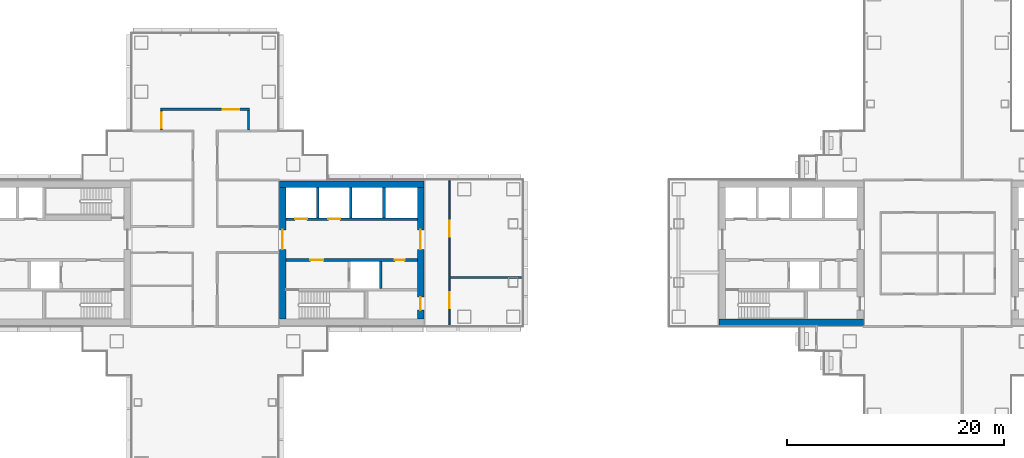
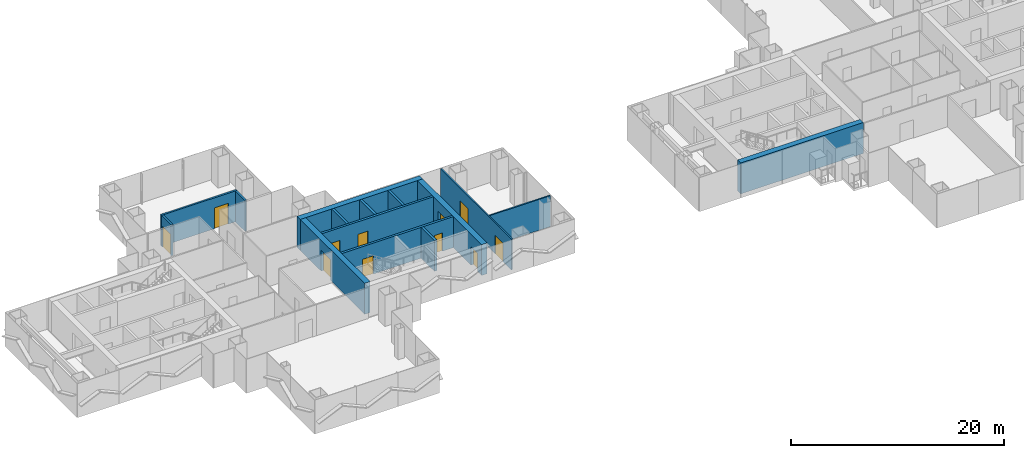
# One storey, part 12 of 19: 15 walls, 11 doors, 11 openings.
"""IFC4 building model written with IfcOpenShell, lengths in metres."""

from ifc_helpers import new_model, si_unit, direction, frame, frame_2d, origin, place, context, subcontext, project, spatial, rectangle, extrude, material, layer, layer_set, type_object, element, fill, save


model = new_model("IFC4")

# Units and contexts
model_context = context("Model", 3, precision=1e-05, world=origin(), true_north=direction((0.0, 1.0)))
body_context = subcontext(model_context, "Body", "Model", "MODEL_VIEW")
ifc_project = project(units=[si_unit("LENGTHUNIT", "METRE"), si_unit("AREAUNIT", "SQUARE_METRE"), si_unit("VOLUMEUNIT", "CUBIC_METRE"), si_unit("PLANEANGLEUNIT", "RADIAN"), si_unit("MASSUNIT", "GRAM", prefix="KILO")], contexts=[model_context])

# Site, building, storey
site_placement = place(None, origin())
site = spatial("IfcSite", under=ifc_project, at=site_placement, CompositionType="ELEMENT")
building_placement = place(site_placement, origin())
building = spatial("IfcBuilding", under=site, at=building_placement, Name="Shamsa Quay Exchange Towers", CompositionType="ELEMENT")
storey_placement = place(building_placement, frame((0.0, 0.0, 89.699951171875)))
storey = spatial("IfcBuildingStorey", under=building, at=storey_placement, Name="L20", CompositionType="ELEMENT", Elevation=89.699951171875)

# Wall, opening, door
ifc_material_1 = material(Name="Double-leaf gypsum board partition with acoustic insulation")
ifc_layer_1 = layer(ifc_material_1, 0.199951171875)
ifc_layer_set_1 = layer_set([ifc_layer_1], Name="Acoustic partition 200 mm EI 60")
wall_type_1 = type_object("IfcWallType", Name="Acoustic partition 200 mm EI 60", PredefinedType="PARTITIONING", material=ifc_layer_set_1)
wall_1_placement = place(storey_placement, frame((-37.75, 13.14990234375, 0.0), z_axis=(0.0, 0.0, 1.0), x_axis=(0.0, -1.0, 0.0)))
wall_1 = element("IfcWall", 1, at=wall_1_placement, inside=storey, type_object=wall_type_1, Name="Partition T1-R09-W13", PredefinedType="PARTITIONING", context=body_context, shape_type="SweptSolid", body=[
    extrude(rectangle(XDim=1.7998046875, YDim=0.199951171875, at=frame_2d((0.89990234375, 0.0))), origin(), (0.0, 0.0, 1.0), 3.550048828125),
])
opening_1_placement = place(wall_1_placement, frame((0.14990234375, 0.0, 0.0)))
opening_1 = element("IfcOpeningElement", 2, at=opening_1_placement, cuts=wall_1, Name="Opening T1-R09-D02", PredefinedType="OPENING", context=body_context, shape_type="SweptSolid", body=[
    extrude(rectangle(XDim=1.5, YDim=2.39990234375, at=frame_2d((0.75, 1.199951171875))), frame((0.0, 0.10986328125, 0.0), z_axis=(0.0, -1.0, 0.0), x_axis=(1.0, 0.0, 0.0)), (0.0, 0.0, 1.0), 0.219970703125),
])
ifc_material_2 = material(Name="Timber door leaf in a metal frame", Category="wood")
door_type_1 = type_object("IfcDoorType", Name="Door 1500x2400 FD30S pair", OperationType="NOTDEFINED", PredefinedType="DOOR", material=ifc_material_2)
door_1_placement = place(opening_1_placement, origin())
door_1 = element("IfcDoor", 3, at=door_1_placement, inside=storey, type_object=door_type_1, Name="Door T1-R09-D02", OperationType="DOUBLE_DOOR_SINGLE_SWING", OverallHeight=2.39990234375, OverallWidth=1.5, PredefinedType="DOOR", context=body_context, shape_type="SweptSolid", body=[
    extrude(rectangle(XDim=1.5, YDim=2.39990234375, at=frame_2d((0.75, 1.199951171875))), frame((0.0, 0.02490234375, 0.0), z_axis=(0.0, -1.0, 0.0), x_axis=(1.0, 0.0, 0.0)), (0.0, 0.0, 1.0), 0.050048828125),
])
fill(opening_1, door_1)

wall_2_placement = place(storey_placement, frame((-29.64990234375, 13.25, 0.0), z_axis=(0.0, 0.0, 1.0), x_axis=(-1.0, 0.0, 0.0)))
wall_2 = element("IfcWall", 4, at=wall_2_placement, inside=storey, type_object=wall_type_1, Name="Partition T1-R09-W14", PredefinedType="PARTITIONING", context=body_context, shape_type="SweptSolid", body=[
    extrude(rectangle(XDim=8.2001953125, YDim=0.199951171875, at=frame_2d((4.10009765625, 0.0))), origin(), (0.0, 0.0, 1.0), 3.550048828125),
])
opening_2_placement = place(wall_2_placement, frame((0.949951171875, 0.0, 0.0)))
opening_2 = element("IfcOpeningElement", 5, at=opening_2_placement, cuts=wall_2, Name="Opening T1-R09-D10", PredefinedType="OPENING", context=body_context, shape_type="SweptSolid", body=[
    extrude(rectangle(XDim=1.5, YDim=2.39990234375, at=frame_2d((0.75, 1.199951171875))), frame((0.0, 0.10986328125, 0.0), z_axis=(0.0, -1.0, 0.0), x_axis=(1.0, 0.0, 0.0)), (0.0, 0.0, 1.0), 0.219970703125),
])
door_2_placement = place(opening_2_placement, origin())
door_2 = element("IfcDoor", 6, at=door_2_placement, inside=storey, type_object=door_type_1, Name="Door T1-R09-D10", OperationType="DOUBLE_DOOR_SINGLE_SWING", OverallHeight=2.39990234375, OverallWidth=1.5, PredefinedType="DOOR", context=body_context, shape_type="SweptSolid", body=[
    extrude(rectangle(XDim=1.5, YDim=2.39990234375, at=frame_2d((0.75, 1.199951171875))), frame((0.0, 0.02490234375, 0.0), z_axis=(0.0, -1.0, 0.0), x_axis=(1.0, 0.0, 0.0)), (0.0, 0.0, 1.0), 0.050048828125),
])
fill(opening_2, door_2)

# Walls
wall_3_placement = place(storey_placement, frame((-29.75, 11.35009765625, 0.0), z_axis=(0.0, 0.0, 1.0), x_axis=(0.0, 1.0, 0.0)))
element("IfcWall", 7, at=wall_3_placement, inside=storey, type_object=wall_type_1, Name="Partition T1-R09-W15", PredefinedType="PARTITIONING", context=body_context, shape_type="SweptSolid", body=[
    extrude(rectangle(XDim=1.7998046875, YDim=0.199951171875, at=frame_2d((0.89990234375, 0.0))), origin(), (0.0, 0.0, 1.0), 3.550048828125),
])
ifc_material_3 = material(Name="Concrete C70/85", Category="concrete")
ifc_layer_2 = layer(ifc_material_3, 0.60009765625)
ifc_layer_set_2 = layer_set([ifc_layer_2], Name="CORE WALL 600 C70/85")
wall_type_2 = type_object("IfcWallType", Name="CORE WALL 600 C70/85", PredefinedType="SHEAR", material=ifc_layer_set_2)
wall_4_placement = place(storey_placement, frame((-26.89990234375, 6.35009765625, 0.0)))
element("IfcWall", 8, at=wall_4_placement, inside=storey, type_object=wall_type_2, Name="Core wall T1A-R09-PN", PredefinedType="SHEAR", context=body_context, shape_type="SweptSolid", body=[
    extrude(rectangle(XDim=13.2998046875, YDim=0.60009765625, at=frame_2d((6.64990234375, 0.0))), origin(), (0.0, 0.0, 1.0), 3.550048828125),
])

# Wall, opening, door
wall_5_placement = place(storey_placement, frame((-26.60009765625, 6.050048828125, 0.0), z_axis=(0.0, 0.0, 1.0), x_axis=(0.0, -1.0, 0.0)))
wall_5 = element("IfcWall", 9, at=wall_5_placement, inside=storey, type_object=wall_type_2, Name="Core wall T1A-R09-PF", PredefinedType="SHEAR", context=body_context, shape_type="SweptSolid", body=[
    extrude(rectangle(XDim=12.10009765625, YDim=0.60009765625, at=frame_2d((6.050048828125, 0.0))), origin(), (0.0, 0.0, 1.0), 3.550048828125),
])
opening_3_placement = place(wall_5_placement, frame((3.89990234375, 0.0, 0.0)))
opening_3 = element("IfcOpeningElement", 10, at=opening_3_placement, cuts=wall_5, Name="Opening T1A-R09-LBD01", PredefinedType="OPENING", context=body_context, shape_type="SweptSolid", body=[
    extrude(rectangle(XDim=1.800048828125, YDim=2.39990234375, at=frame_2d((0.89990234375, 1.199951171875))), frame((0.0, 0.31005859375, 0.0), z_axis=(0.0, -1.0, 0.0), x_axis=(1.0, 0.0, 0.0)), (0.0, 0.0, 1.0), 0.6201171875),
])
ifc_material_4 = material(Name="Steel, fire rated", Category="steel")
door_type_2 = type_object("IfcDoorType", Name="LIFT LOBBY DOOR PAIR 1800", OperationType="DOUBLE_DOOR_SINGLE_SWING", PredefinedType="DOOR", material=ifc_material_4)
door_3_placement = place(opening_3_placement, origin())
door_3 = element("IfcDoor", 11, at=door_3_placement, inside=storey, type_object=door_type_2, Name="T1A-R09-LBD01", OperationType="DOUBLE_DOOR_SINGLE_SWING", OverallHeight=2.39990234375, OverallWidth=1.800048828125, PredefinedType="DOOR", context=body_context, shape_type="SweptSolid", body=[
    extrude(rectangle(XDim=1.800048828125, YDim=2.39990234375, at=frame_2d((0.89990234375, 1.199951171875))), frame((0.0, 0.02490234375, 0.0), z_axis=(0.0, -1.0, 0.0), x_axis=(1.0, 0.0, 0.0)), (0.0, 0.0, 1.0), 0.050048828125),
])
fill(opening_3, door_3)

# Wall, openings, doors
wall_6_placement = place(storey_placement, frame((-13.89990234375, 6.050048828125, 0.0), z_axis=(0.0, 0.0, 1.0), x_axis=(0.0, -1.0, 0.0)))
wall_6 = element("IfcWall", 12, at=wall_6_placement, inside=storey, type_object=wall_type_2, Name="Core wall T1A-R09-PB", PredefinedType="SHEAR", context=body_context, shape_type="SweptSolid", body=[
    extrude(rectangle(XDim=12.10009765625, YDim=0.60009765625, at=frame_2d((6.050048828125, 0.0))), origin(), (0.0, 0.0, 1.0), 3.550048828125),
])
opening_4_placement = place(wall_6_placement, frame((10.10009765625, 0.0, 0.0)))
opening_4 = element("IfcOpeningElement", 13, at=opening_4_placement, cuts=wall_6, Name="Opening T1A-R09-RD02", PredefinedType="OPENING", context=body_context, shape_type="SweptSolid", body=[
    extrude(rectangle(XDim=1.199951171875, YDim=2.10009765625, at=frame_2d((0.60009765625, 1.050048828125))), frame((0.0, 0.31005859375, 0.0), z_axis=(0.0, -1.0, 0.0), x_axis=(1.0, 0.0, 0.0)), (0.0, 0.0, 1.0), 0.6201171875),
])
opening_5_placement = place(wall_6_placement, frame((3.89990234375, 0.0, 0.0)))
opening_5 = element("IfcOpeningElement", 14, at=opening_5_placement, cuts=wall_6, Name="Opening T1A-R09-LBD03", PredefinedType="OPENING", context=body_context, shape_type="SweptSolid", body=[
    extrude(rectangle(XDim=1.800048828125, YDim=2.39990234375, at=frame_2d((0.89990234375, 1.199951171875))), frame((0.0, 0.31005859375, 0.0), z_axis=(0.0, -1.0, 0.0), x_axis=(1.0, 0.0, 0.0)), (0.0, 0.0, 1.0), 0.6201171875),
])
door_4_placement = place(opening_5_placement, origin())
door_4 = element("IfcDoor", 15, at=door_4_placement, inside=storey, type_object=door_type_2, Name="T1A-R09-LBD03", OperationType="DOUBLE_DOOR_SINGLE_SWING", OverallHeight=2.39990234375, OverallWidth=1.800048828125, PredefinedType="DOOR", context=body_context, shape_type="SweptSolid", body=[
    extrude(rectangle(XDim=1.800048828125, YDim=2.39990234375, at=frame_2d((0.89990234375, 1.199951171875))), frame((0.0, 0.02490234375, 0.0), z_axis=(0.0, -1.0, 0.0), x_axis=(1.0, 0.0, 0.0)), (0.0, 0.0, 1.0), 0.050048828125),
])
fill(opening_5, door_4)
door_type_3 = type_object("IfcDoorType", Name="RISER ACCESS DOOR 1200", OperationType="SINGLE_SWING_LEFT", PredefinedType="DOOR", material=ifc_material_4)
door_5_placement = place(opening_4_placement, origin())
door_5 = element("IfcDoor", 16, at=door_5_placement, inside=storey, type_object=door_type_3, Name="T1A-R09-RD02", OperationType="SINGLE_SWING_RIGHT", OverallHeight=2.10009765625, OverallWidth=1.199951171875, PredefinedType="DOOR", context=body_context, shape_type="SweptSolid", body=[
    extrude(rectangle(XDim=1.199951171875, YDim=2.10009765625, at=frame_2d((0.60009765625, 1.050048828125))), frame((0.0, 0.02490234375, 0.0), z_axis=(0.0, -1.0, 0.0), x_axis=(1.0, 0.0, 0.0)), (0.0, 0.0, 1.0), 0.050048828125),
])
fill(opening_4, door_5)

# Wall
wall_7_placement = place(storey_placement, frame((13.60009765625, -6.35009765625, 0.0)))
element("IfcWall", 17, at=wall_7_placement, inside=storey, type_object=wall_type_2, Name="Core wall T2A-R09-PS", PredefinedType="SHEAR", context=body_context, shape_type="SweptSolid", body=[
    extrude(rectangle(XDim=13.2998046875, YDim=0.60009765625, at=frame_2d((6.64990234375, 0.0))), origin(), (0.0, 0.0, 1.0), 3.550048828125),
])

# Wall, openings, doors
ifc_material_5 = material(Name="Gypsum board partition on metal studs")
ifc_layer_3 = layer(ifc_material_5, 0.14990234375)
ifc_layer_set_3 = layer_set([ifc_layer_3], Name="Partition 150 mm EI 60")
wall_type_3 = type_object("IfcWallType", Name="Partition 150 mm EI 60", PredefinedType="PARTITIONING", material=ifc_layer_set_3)
wall_8_placement = place(storey_placement, frame((-11.25, 6.655029296875, 0.0), z_axis=(0.0, 0.0, 1.0), x_axis=(0.0, -1.0, 0.0)))
wall_8 = element("IfcWall", 18, at=wall_8_placement, inside=storey, type_object=wall_type_3, Name="Partition T1-R09-W17", PredefinedType="PARTITIONING", context=body_context, shape_type="SweptSolid", body=[
    extrude(rectangle(XDim=13.31005859375, YDim=0.14990234375, at=frame_2d((6.655029296875, 0.0))), origin(), (0.0, 0.0, 1.0), 3.550048828125),
])
opening_6_placement = place(wall_8_placement, frame((3.655029296875, 0.0, 0.0)))
opening_6 = element("IfcOpeningElement", 19, at=opening_6_placement, cuts=wall_8, Name="Opening T1-R09-D11", PredefinedType="OPENING", context=body_context, shape_type="SweptSolid", body=[
    extrude(rectangle(XDim=1.5, YDim=2.10009765625, at=frame_2d((0.75, 1.050048828125))), frame((0.0, 0.0849609375, 0.0), z_axis=(0.0, -1.0, 0.0), x_axis=(1.0, 0.0, 0.0)), (0.0, 0.0, 1.0), 0.169921875),
])
opening_7_placement = place(wall_8_placement, frame((10.2548828125, 0.0, 0.0)))
opening_7 = element("IfcOpeningElement", 20, at=opening_7_placement, cuts=wall_8, Name="Opening T1-R09-D12", PredefinedType="OPENING", context=body_context, shape_type="SweptSolid", body=[
    extrude(rectangle(XDim=1.5, YDim=2.10009765625, at=frame_2d((0.75, 1.050048828125))), frame((0.0, 0.0849609375, 0.0), z_axis=(0.0, -1.0, 0.0), x_axis=(1.0, 0.0, 0.0)), (0.0, 0.0, 1.0), 0.169921875),
])
door_type_4 = type_object("IfcDoorType", Name="Door 1500x2100 FD30S pair", OperationType="NOTDEFINED", PredefinedType="DOOR", material=ifc_material_2)
door_6_placement = place(opening_6_placement, origin())
door_6 = element("IfcDoor", 21, at=door_6_placement, inside=storey, type_object=door_type_4, Name="Door T1-R09-D11", OperationType="DOUBLE_DOOR_SINGLE_SWING", OverallHeight=2.10009765625, OverallWidth=1.5, PredefinedType="DOOR", context=body_context, shape_type="SweptSolid", body=[
    extrude(rectangle(XDim=1.5, YDim=2.10009765625, at=frame_2d((0.75, 1.050048828125))), frame((0.0, 0.02490234375, 0.0), z_axis=(0.0, -1.0, 0.0), x_axis=(1.0, 0.0, 0.0)), (0.0, 0.0, 1.0), 0.050048828125),
])
fill(opening_6, door_6)
door_7_placement = place(opening_7_placement, origin())
door_7 = element("IfcDoor", 22, at=door_7_placement, inside=storey, type_object=door_type_4, Name="Door T1-R09-D12", OperationType="DOUBLE_DOOR_SINGLE_SWING", OverallHeight=2.10009765625, OverallWidth=1.5, PredefinedType="DOOR", context=body_context, shape_type="SweptSolid", body=[
    extrude(rectangle(XDim=1.5, YDim=2.10009765625, at=frame_2d((0.75, 1.050048828125))), frame((0.0, 0.02490234375, 0.0), z_axis=(0.0, -1.0, 0.0), x_axis=(1.0, 0.0, 0.0)), (0.0, 0.0, 1.0), 0.050048828125),
])
fill(opening_7, door_7)

# Wall
wall_9_placement = place(storey_placement, frame((-4.594970703125, -2.25, 0.0), z_axis=(0.0, 0.0, 1.0), x_axis=(-1.0, 0.0, 0.0)))
element("IfcWall", 23, at=wall_9_placement, inside=storey, type_object=wall_type_3, Name="Partition T1-R09-W25", PredefinedType="PARTITIONING", context=body_context, shape_type="SweptSolid", body=[
    extrude(rectangle(XDim=6.580078125, YDim=0.14990234375, at=frame_2d((3.2900390625, 0.0))), origin(), (0.0, 0.0, 1.0), 3.550048828125),
])

# Wall, openings, doors
ifc_material_6 = material(Name="Concrete C50/60", Category="concrete")
ifc_layer_4 = layer(ifc_material_6, 0.25)
ifc_layer_set_4 = layer_set([ifc_layer_4], Name="SHAFT WALL 250 C50/60")
wall_type_4 = type_object("IfcWallType", Name="SHAFT WALL 250 C50/60", PredefinedType="SHEAR", material=ifc_layer_set_4)
wall_10_placement = place(storey_placement, frame((-14.199951171875, -0.625, 0.0), z_axis=(0.0, 0.0, 1.0), x_axis=(-1.0, 0.0, 0.0)))
wall_10 = element("IfcWall", 24, at=wall_10_placement, inside=storey, type_object=wall_type_4, Name="Shaft wall T1A-R09-B", PredefinedType="SHEAR", context=body_context, shape_type="SweptSolid", body=[
    extrude(rectangle(XDim=12.10009765625, YDim=0.25, at=frame_2d((6.050048828125, 0.0))), origin(), (0.0, 0.0, 1.0), 3.550048828125),
])
opening_8_placement = place(wall_10_placement, frame((8.64990234375, 0.0, 0.0)))
opening_8 = element("IfcOpeningElement", 25, at=opening_8_placement, cuts=wall_10, Name="Opening T1A-R09-FD05", PredefinedType="OPENING", context=body_context, shape_type="SweptSolid", body=[
    extrude(rectangle(XDim=1.199951171875, YDim=2.10009765625, at=frame_2d((0.60009765625, 1.050048828125))), frame((0.0, 0.135009765625, 0.0), z_axis=(0.0, -1.0, 0.0), x_axis=(1.0, 0.0, 0.0)), (0.0, 0.0, 1.0), 0.27001953125),
])
opening_9_placement = place(wall_10_placement, frame((1.175048828125, 0.0, 0.0)))
opening_9 = element("IfcOpeningElement", 26, at=opening_9_placement, cuts=wall_10, Name="Opening T1A-R09-SV06", PredefinedType="OPENING", context=body_context, shape_type="SweptSolid", body=[
    extrude(rectangle(XDim=0.89990234375, YDim=2.10009765625, at=frame_2d((0.449951171875, 1.050048828125))), frame((0.0, 0.135009765625, 0.0), z_axis=(0.0, -1.0, 0.0), x_axis=(1.0, 0.0, 0.0)), (0.0, 0.0, 1.0), 0.27001953125),
])
door_type_5 = type_object("IfcDoorType", Name="FIRE SERVICE LOBBY DOOR 1200", OperationType="SINGLE_SWING_LEFT", PredefinedType="DOOR", material=ifc_material_4)
door_8_placement = place(opening_8_placement, origin())
door_8 = element("IfcDoor", 27, at=door_8_placement, inside=storey, type_object=door_type_5, Name="T1A-R09-FD05", OperationType="SINGLE_SWING_RIGHT", OverallHeight=2.10009765625, OverallWidth=1.199951171875, PredefinedType="DOOR", context=body_context, shape_type="SweptSolid", body=[
    extrude(rectangle(XDim=1.199951171875, YDim=2.10009765625, at=frame_2d((0.60009765625, 1.050048828125))), frame((0.0, 0.02490234375, 0.0), z_axis=(0.0, -1.0, 0.0), x_axis=(1.0, 0.0, 0.0)), (0.0, 0.0, 1.0), 0.050048828125),
])
fill(opening_8, door_8)
door_type_6 = type_object("IfcDoorType", Name="SERVICE ROOM DOOR 900", OperationType="SINGLE_SWING_LEFT", PredefinedType="DOOR", material=ifc_material_4)
door_9_placement = place(opening_9_placement, origin())
door_9 = element("IfcDoor", 28, at=door_9_placement, inside=storey, type_object=door_type_6, Name="T1A-R09-SV06", OperationType="SINGLE_SWING_LEFT", OverallHeight=2.10009765625, OverallWidth=0.89990234375, PredefinedType="DOOR", context=body_context, shape_type="SweptSolid", body=[
    extrude(rectangle(XDim=0.89990234375, YDim=2.10009765625, at=frame_2d((0.449951171875, 1.050048828125))), frame((0.0, 0.02490234375, 0.0), z_axis=(0.0, -1.0, 0.0), x_axis=(1.0, 0.0, 0.0)), (0.0, 0.0, 1.0), 0.050048828125),
])
fill(opening_9, door_9)

# Wall
wall_11_placement = place(storey_placement, frame((-17.574951171875, -3.25, 0.0), z_axis=(0.0, 0.0, 1.0), x_axis=(0.0, 1.0, 0.0)))
element("IfcWall", 29, at=wall_11_placement, inside=storey, type_object=wall_type_4, Name="Shaft wall T1A-R09-FFB", PredefinedType="SHEAR", context=body_context, shape_type="SweptSolid", body=[
    extrude(rectangle(XDim=2.5, YDim=0.25, at=frame_2d((1.25, 0.0))), origin(), (0.0, 0.0, 1.0), 3.550048828125),
])

# Wall, openings, doors
wall_12_placement = place(storey_placement, frame((-26.300048828125, 3.125, 0.0)))
wall_12 = element("IfcWall", 30, at=wall_12_placement, inside=storey, type_object=wall_type_4, Name="Shaft wall T1A-R09-N", PredefinedType="SHEAR", context=body_context, shape_type="SweptSolid", body=[
    extrude(rectangle(XDim=12.10009765625, YDim=0.25, at=frame_2d((6.050048828125, 0.0))), origin(), (0.0, 0.0, 1.0), 3.550048828125),
])
opening_10_placement = place(wall_12_placement, frame((0.85009765625, 0.0, 0.0)))
opening_10 = element("IfcOpeningElement", 31, at=opening_10_placement, cuts=wall_12, Name="Opening T1A-R09-LD08", PredefinedType="OPENING", context=body_context, shape_type="SweptSolid", body=[
    extrude(rectangle(XDim=1.10009765625, YDim=2.10009765625, at=frame_2d((0.550048828125, 1.050048828125))), frame((0.0, 0.135009765625, 0.0), z_axis=(0.0, -1.0, 0.0), x_axis=(1.0, 0.0, 0.0)), (0.0, 0.0, 1.0), 0.27001953125),
])
opening_11_placement = place(wall_12_placement, frame((3.89990234375, 0.0, 0.0)))
opening_11 = element("IfcOpeningElement", 32, at=opening_11_placement, cuts=wall_12, Name="Opening T1A-R09-LD09", PredefinedType="OPENING", context=body_context, shape_type="SweptSolid", body=[
    extrude(rectangle(XDim=1.10009765625, YDim=2.10009765625, at=frame_2d((0.550048828125, 1.050048828125))), frame((0.0, 0.135009765625, 0.0), z_axis=(0.0, -1.0, 0.0), x_axis=(1.0, 0.0, 0.0)), (0.0, 0.0, 1.0), 0.27001953125),
])
door_type_7 = type_object("IfcDoorType", Name="LANDING DOOR 1100", OperationType="SLIDING_TO_LEFT", PredefinedType="DOOR", material=ifc_material_4)
door_10_placement = place(opening_10_placement, origin())
door_10 = element("IfcDoor", 33, at=door_10_placement, inside=storey, type_object=door_type_7, Name="T1A-R09-LD08", OperationType="SLIDING_TO_LEFT", OverallHeight=2.10009765625, OverallWidth=1.10009765625, PredefinedType="DOOR", context=body_context, shape_type="SweptSolid", body=[
    extrude(rectangle(XDim=1.10009765625, YDim=2.10009765625, at=frame_2d((0.550048828125, 1.050048828125))), frame((0.0, 0.02490234375, 0.0), z_axis=(0.0, -1.0, 0.0), x_axis=(1.0, 0.0, 0.0)), (0.0, 0.0, 1.0), 0.050048828125),
])
fill(opening_10, door_10)
door_11_placement = place(opening_11_placement, origin())
door_11 = element("IfcDoor", 34, at=door_11_placement, inside=storey, type_object=door_type_7, Name="T1A-R09-LD09", OperationType="SLIDING_TO_LEFT", OverallHeight=2.10009765625, OverallWidth=1.10009765625, PredefinedType="DOOR", context=body_context, shape_type="SweptSolid", body=[
    extrude(rectangle(XDim=1.10009765625, YDim=2.10009765625, at=frame_2d((0.550048828125, 1.050048828125))), frame((0.0, 0.02490234375, 0.0), z_axis=(0.0, -1.0, 0.0), x_axis=(1.0, 0.0, 0.0)), (0.0, 0.0, 1.0), 0.050048828125),
])
fill(opening_11, door_11)

# Walls
for number, where, z_axis, x_axis, name in (
    (35, (-23.375, 3.25, 0.0), (0.0, 0.0, 1.0), (0.0, 1.0, 0.0), "Shaft wall T1A-R09-D0"),
    (36, (-20.324951171875, 3.25, 0.0), (0.0, 0.0, 1.0), (0.0, 1.0, 0.0), "Shaft wall T1A-R09-D1"),
    (37, (-17.27490234375, 3.25, 0.0), (0.0, 0.0, 1.0), (0.0, 1.0, 0.0), "Shaft wall T1A-R09-D2"),
):
    element("IfcWall", number, at=place(storey_placement, frame(where, z_axis=z_axis, x_axis=x_axis)), inside=storey, type_object=wall_type_4, Name=name, PredefinedType="SHEAR", context=body_context, shape_type="SweptSolid", body=[
        extrude(rectangle(XDim=2.800048828125, YDim=0.25, at=frame_2d((1.39990234375, 0.0))), origin(), (0.0, 0.0, 1.0), 3.550048828125),
    ])

save(model, "model.ifc")
